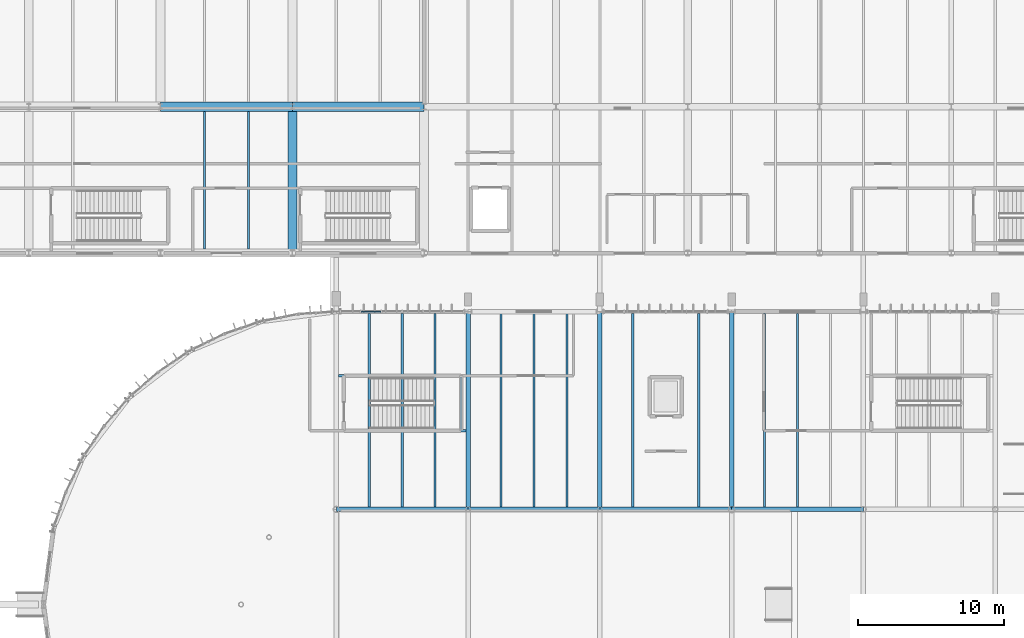
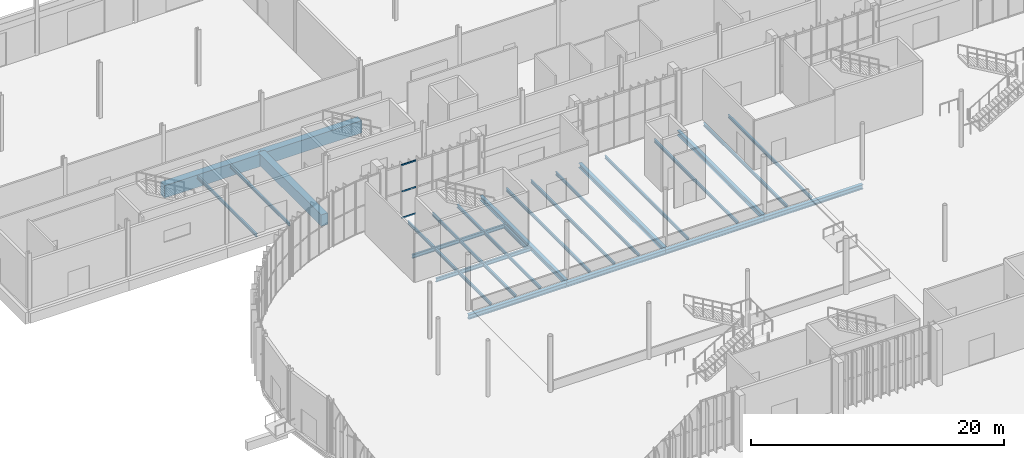
# One storey, part 61 of 158: 25 beams, 3 members, 1 element without a shape of its own.
"""IFC4 building model written with IfcOpenShell, lengths in metres."""

from ifc_helpers import new_model, si_unit, derived_unit, direction, frame, origin, origin_2d, place, context, subcontext, project, spatial, rectangle, hollow_rectangle, i_section, extrude, material, material_profile, profile_set, type_object, element, aggregate, save


model = new_model("IFC4")

# Units and contexts
model_context = context("Model", 3, precision=1e-05, world=origin(), true_north=direction((0.0, 1.0)))
body_context = subcontext(model_context, "Body", "Model", "MODEL_VIEW")
ifc_project = project(units=[si_unit("LENGTHUNIT", "METRE"), si_unit("AREAUNIT", "SQUARE_METRE"), si_unit("VOLUMEUNIT", "CUBIC_METRE"), si_unit("PLANEANGLEUNIT", "RADIAN"), si_unit("MASSUNIT", "GRAM", prefix="KILO"), si_unit("THERMODYNAMICTEMPERATUREUNIT", "KELVIN"), si_unit("TIMEUNIT", "SECOND"), derived_unit("THERMALTRANSMITTANCEUNIT", [(si_unit("MASSUNIT", "GRAM", prefix="KILO"), 1), (si_unit("THERMODYNAMICTEMPERATUREUNIT", "KELVIN"), -1), (si_unit("TIMEUNIT", "SECOND"), -3)])], contexts=[model_context])

# Site, building, storey
site_placement = place(None, origin())
site = spatial("IfcSite", under=ifc_project, at=site_placement, CompositionType="ELEMENT")
building_placement = place(site_placement, origin())
building = spatial("IfcBuilding", under=site, at=building_placement, Name="Cambertide Market Hall", CompositionType="ELEMENT")
storey_placement = place(building_placement, origin())
storey = spatial("IfcBuildingStorey", under=building, at=storey_placement, Name="L01", CompositionType="ELEMENT", Elevation=0.0)

# Beams
ifc_material_1 = material(Name="Concrete B35", Category="concrete")
ifc_material_profile_1 = material_profile(ifc_material_1, rectangle(XDim=0.60009765625, YDim=1.10009765625, at=origin_2d()), Name="RC 600x1100")
ifc_profile_set_1 = profile_set([ifc_material_profile_1], Name="Concrete B35")
beam_type_1 = type_object("IfcBeamType", Name="Concrete T-Beam RC 600x1100", PredefinedType="T_BEAM", material=ifc_profile_set_1)
beam_1_placement = place(storey_placement, frame((39.0, 96.0, -0.909912109375), z_axis=(0.0, 1.0, 0.0), x_axis=(-1.0, 0.0, 0.0)))
element("IfcBeam", 1, at=beam_1_placement, inside=storey, type_object=beam_type_1, Name="Level 1 T_Beam BM-V2Y-L01-4-1", PredefinedType="T_BEAM", context=body_context, shape_type="SweptSolid", body=[
    extrude(rectangle(XDim=0.60009765625, YDim=1.10009765625, at=origin_2d()), origin(), (0.0, 0.0, 1.0), 10.0),
])
ifc_material_2 = material(Name="Concrete B35", Category="concrete")
ifc_material_profile_2 = material_profile(ifc_material_2, rectangle(XDim=0.64990234375, YDim=1.199951171875, at=origin_2d()), Name="RC 650x1200")
ifc_profile_set_2 = profile_set([ifc_material_profile_2], Name="Concrete B35")
beam_type_2 = type_object("IfcBeamType", Name="Concrete T-Beam RC 650x1200", PredefinedType="T_BEAM", material=ifc_profile_set_2)
for number, where, z_axis, x_axis, name in (
    (2, (30.0, 106.0, -0.9599609375), (1.0, 0.0, 0.0), (0.0, 1.0, 0.0), "Level 1 T_Beam BM-V2X-L01-3-2"),
    (3, (39.0, 106.0, -0.9599609375), (1.0, 0.0, 0.0), (0.0, 1.0, 0.0), "Level 1 T_Beam BM-V2X-L01-4-2"),
):
    element("IfcBeam", number, at=place(storey_placement, frame(where, z_axis=z_axis, x_axis=x_axis)), inside=storey, type_object=beam_type_2, Name=name, PredefinedType="T_BEAM", context=body_context, shape_type="SweptSolid", body=[
        extrude(rectangle(XDim=0.64990234375, YDim=1.199951171875, at=origin_2d()), origin(), (0.0, 0.0, 1.0), 9.0),
    ])

# Curtain wall, members
ifc_material_3 = material(Name="Marine Anodized Aluminium 6063-T6 AA25", Category="aluminium")
curtain_wall_type = type_object("IfcCurtainWallType", Name="Lantern Straight Lower Curtain Wall", PredefinedType="USERDEFINED", material=ifc_material_3)
curtain_wall_placement = place(storey_placement, origin())
curtain_wall = element("IfcCurtainWall", 4, at=curtain_wall_placement, inside=storey, type_object=curtain_wall_type, Name="Level 1 Curtain Wall CW-V1N-L01-1", ObjectType="UNITIZED CURTAIN WALL", PredefinedType="USERDEFINED")
ifc_material_4 = material(Name="Champagne Marine Anodized Aluminium 6063-T6 AA25", Category="aluminium")
ifc_material_profile_3 = material_profile(ifc_material_4, hollow_rectangle(XDim=0.06494140625, YDim=0.139892578125, WallThickness=0.00341796875, at=origin_2d()), Name="ALU TRANSOM 65x140")
ifc_profile_set_3 = profile_set([ifc_material_profile_3], Name="Champagne Marine Anodized Aluminium 6063-T6 AA25")
member_type = type_object("IfcMemberType", Name="Curtain Wall Transom ALU TRANSOM 65x140", PredefinedType="USERDEFINED", material=ifc_profile_set_3)
member_1_placement = place(storey_placement, frame((43.706787109375, 92.0, 0.034912109375), z_axis=(1.0, 0.0, 0.0), x_axis=(0.0, 1.0, 0.0)))
member_1 = element("IfcMember", 5, at=member_1_placement, type_object=member_type, Name="CW-V1N-L01-1 Transom 1-2", ObjectType="TRANSOM", PredefinedType="USERDEFINED", context=body_context, shape_type="SweptSolid", body=[
    extrude(hollow_rectangle(XDim=0.06494140625, YDim=0.139892578125, WallThickness=0.00341796875, at=origin_2d()), origin(), (0.0, 0.0, 1.0), 1.33642578125),
])
member_2_placement = place(storey_placement, frame((43.706787109375, 92.0, 2.580078125), z_axis=(1.0, 0.0, 0.0), x_axis=(0.0, 1.0, 0.0)))
member_2 = element("IfcMember", 6, at=member_2_placement, type_object=member_type, Name="CW-V1N-L01-1 Transom 2-2", ObjectType="TRANSOM", PredefinedType="USERDEFINED", context=body_context, shape_type="SweptSolid", body=[
    extrude(hollow_rectangle(XDim=0.06494140625, YDim=0.139892578125, WallThickness=0.00341796875, at=origin_2d()), origin(), (0.0, 0.0, 1.0), 1.33642578125),
])
member_3_placement = place(storey_placement, frame((43.706787109375, 92.0, 5.125), z_axis=(1.0, 0.0, 0.0), x_axis=(0.0, 1.0, 0.0)))
member_3 = element("IfcMember", 7, at=member_3_placement, type_object=member_type, Name="CW-V1N-L01-1 Transom 3-2", ObjectType="TRANSOM", PredefinedType="USERDEFINED", context=body_context, shape_type="SweptSolid", body=[
    extrude(hollow_rectangle(XDim=0.06494140625, YDim=0.139892578125, WallThickness=0.00341796875, at=origin_2d()), origin(), (0.0, 0.0, 1.0), 1.33642578125),
])
aggregate(curtain_wall, [member_1, member_2, member_3])

# Beams
ifc_material_5 = material(Name="Steel S355", Category="steel")
ifc_material_profile_4 = material_profile(ifc_material_5, i_section(OverallWidth=0.300048828125, OverallDepth=0.449951171875, WebThickness=0.013916015625, FlangeThickness=0.02587890625, FilletRadius=0.027099609375, at=origin_2d()), Name="HEB 450")
ifc_profile_set_4 = profile_set([ifc_material_profile_4], Name="Steel S355")
beam_type_3 = type_object("IfcBeamType", Name="Steel Girder HEB 450", PredefinedType="BEAM", material=ifc_profile_set_4)
for number, where, z_axis, x_axis, name in (
    (8, (42.0, 78.5, -0.695068359375), (1.0, 0.0, 0.0), (0.0, 1.0, 0.0), "Level 1 Beam BM-V1MN-L01-1"),
    (9, (51.0, 78.5, -0.695068359375), (1.0, 0.0, 0.0), (0.0, 1.0, 0.0), "Level 1 Beam BM-V1MN-L01-2"),
    (10, (60.0, 78.5, -0.695068359375), (1.0, 0.0, 0.0), (0.0, 1.0, 0.0), "Level 1 Beam BM-V1MN-L01-3"),
    (11, (69.0, 78.5, -0.695068359375), (1.0, 0.0, 0.0), (0.0, 1.0, 0.0), "Level 1 Beam BM-V1MN-L01-4"),
):
    element("IfcBeam", number, at=place(storey_placement, frame(where, z_axis=z_axis, x_axis=x_axis)), inside=storey, type_object=beam_type_3, Name=name, PredefinedType="BEAM", context=body_context, shape_type="SweptSolid", body=[
        extrude(i_section(OverallWidth=0.300048828125, OverallDepth=0.449951171875, WebThickness=0.013916015625, FlangeThickness=0.02587890625, FilletRadius=0.027099609375, at=origin_2d()), origin(), (0.0, 0.0, 1.0), 9.0),
    ])
for number, where, z_axis, x_axis, name in (
    (12, (51.0, 78.5, -0.534912109375), (0.0, 1.0, 0.0), (-1.0, 0.0, 0.0), "Level 1 Beam BM-V1TN-L01-2"),
    (13, (60.0, 78.5, -0.534912109375), (0.0, 1.0, 0.0), (-1.0, 0.0, 0.0), "Level 1 Beam BM-V1TN-L01-3"),
    (14, (69.0, 78.5, -0.534912109375), (0.0, 1.0, 0.0), (-1.0, 0.0, 0.0), "Level 1 Beam BM-V1TN-L01-4"),
):
    element("IfcBeam", number, at=place(storey_placement, frame(where, z_axis=z_axis, x_axis=x_axis)), inside=storey, type_object=beam_type_3, Name=name, PredefinedType="BEAM", context=body_context, shape_type="SweptSolid", body=[
        extrude(i_section(OverallWidth=0.300048828125, OverallDepth=0.449951171875, WebThickness=0.013916015625, FlangeThickness=0.02587890625, FilletRadius=0.027099609375, at=origin_2d()), origin(), (0.0, 0.0, 1.0), 13.5),
    ])
ifc_material_6 = material(Name="Steel S355", Category="steel")
ifc_material_profile_5 = material_profile(ifc_material_6, i_section(OverallWidth=0.169921875, OverallDepth=0.360107421875, WebThickness=0.008056640625, FlangeThickness=0.0126953125, FilletRadius=0.01806640625, at=origin_2d()), Name="IPE 360")
ifc_profile_set_5 = profile_set([ifc_material_profile_5], Name="Steel S355")
beam_type_4 = type_object("IfcBeamType", Name="Steel Girder IPE 360", PredefinedType="BEAM", material=ifc_profile_set_5)
for number, where, z_axis, x_axis, name in (
    (15, (42.157958984375, 83.875, -0.47998046875), (1.0, 0.0, 0.0), (0.0, 1.0, 0.0), "Level 1 Beam BM-ST01-SHWL"),
    (16, (42.157958984375, 87.625, -0.47998046875), (1.0, 0.0, 0.0), (0.0, 1.0, 0.0), "Level 1 Beam BM-ST01-SHWR"),
):
    element("IfcBeam", number, at=place(storey_placement, frame(where, z_axis=z_axis, x_axis=x_axis)), inside=storey, type_object=beam_type_4, Name=name, PredefinedType="BEAM", context=body_context, shape_type="SweptSolid", body=[
        extrude(i_section(OverallWidth=0.169921875, OverallDepth=0.360107421875, WebThickness=0.008056640625, FlangeThickness=0.0126953125, FilletRadius=0.01806640625, at=origin_2d()), origin(), (0.0, 0.0, 1.0), 8.68408203125),
    ])
ifc_material_7 = material(Name="Steel S275", Category="steel")
ifc_material_profile_6 = material_profile(ifc_material_7, i_section(OverallWidth=0.14990234375, OverallDepth=0.300048828125, WebThickness=0.007080078125, FlangeThickness=0.0107421875, FilletRadius=0.014892578125, at=origin_2d()), Name="IPE 300")
ifc_profile_set_6 = profile_set([ifc_material_profile_6], Name="Steel S275")
beam_type_5 = type_object("IfcBeamType", Name="Steel Secondary Joist IPE 300", PredefinedType="JOIST", material=ifc_profile_set_6)
for number, where, z_axis, x_axis, name in (
    (17, (44.25, 78.657958984375, -0.4599609375), (0.0, 1.0, 0.0), (-1.0, 0.0, 0.0), "Level 1 Joist JS-V1N-L01-1-1"),
    (18, (46.5, 78.657958984375, -0.4599609375), (0.0, 1.0, 0.0), (-1.0, 0.0, 0.0), "Level 1 Joist JS-V1N-L01-1-2"),
    (19, (48.75, 78.657958984375, -0.4599609375), (0.0, 1.0, 0.0), (-1.0, 0.0, 0.0), "Level 1 Joist JS-V1N-L01-1-3"),
):
    element("IfcBeam", number, at=place(storey_placement, frame(where, z_axis=z_axis, x_axis=x_axis)), inside=storey, type_object=beam_type_5, Name=name, PredefinedType="JOIST", context=body_context, shape_type="SweptSolid", body=[
        extrude(i_section(OverallWidth=0.14990234375, OverallDepth=0.300048828125, WebThickness=0.007080078125, FlangeThickness=0.0107421875, FilletRadius=0.014892578125, at=origin_2d()), origin(), (0.0, 0.0, 1.0), 13.22412109375),
    ])
for number, where, z_axis, x_axis, name in (
    (20, (53.25, 78.657958984375, -0.4599609375), (0.0, 1.0, 0.0), (-1.0, 0.0, 0.0), "Level 1 Joist JS-V1N-L01-2-1"),
    (21, (55.5, 78.657958984375, -0.4599609375), (0.0, 1.0, 0.0), (-1.0, 0.0, 0.0), "Level 1 Joist JS-V1N-L01-2-2"),
    (22, (57.75, 78.657958984375, -0.4599609375), (0.0, 1.0, 0.0), (-1.0, 0.0, 0.0), "Level 1 Joist JS-V1N-L01-2-3"),
    (23, (62.25, 78.657958984375, -0.4599609375), (0.0, 1.0, 0.0), (-1.0, 0.0, 0.0), "Level 1 Joist JS-V1N-L01-3-1"),
    (24, (66.75, 78.657958984375, -0.4599609375), (0.0, 1.0, 0.0), (-1.0, 0.0, 0.0), "Level 1 Joist JS-V1N-L01-3-3"),
    (25, (71.25, 78.657958984375, -0.4599609375), (0.0, 1.0, 0.0), (-1.0, 0.0, 0.0), "Level 1 Joist JS-V1N-L01-4-1"),
    (26, (73.5, 78.657958984375, -0.4599609375), (0.0, 1.0, 0.0), (-1.0, 0.0, 0.0), "Level 1 Joist JS-V1N-L01-4-2"),
):
    element("IfcBeam", number, at=place(storey_placement, frame(where, z_axis=z_axis, x_axis=x_axis)), inside=storey, type_object=beam_type_5, Name=name, PredefinedType="JOIST", context=body_context, shape_type="SweptSolid", body=[
        extrude(i_section(OverallWidth=0.14990234375, OverallDepth=0.300048828125, WebThickness=0.007080078125, FlangeThickness=0.0107421875, FilletRadius=0.014892578125, at=origin_2d()), origin(), (0.0, 0.0, 1.0), 13.234130859375),
    ])
for number, where, z_axis, x_axis, name in (
    (27, (33.0, 96.282958984375, -0.510009765625), (0.0, 1.0, 0.0), (-1.0, 0.0, 0.0), "Level 1 Joist JS-V2-L01-3-1-1"),
    (28, (36.0, 96.282958984375, -0.510009765625), (0.0, 1.0, 0.0), (-1.0, 0.0, 0.0), "Level 1 Joist JS-V2-L01-3-1-2"),
):
    element("IfcBeam", number, at=place(storey_placement, frame(where, z_axis=z_axis, x_axis=x_axis)), inside=storey, type_object=beam_type_5, Name=name, PredefinedType="JOIST", context=body_context, shape_type="SweptSolid", body=[
        extrude(i_section(OverallWidth=0.14990234375, OverallDepth=0.300048828125, WebThickness=0.007080078125, FlangeThickness=0.0107421875, FilletRadius=0.014892578125, at=origin_2d()), origin(), (0.0, 0.0, 1.0), 9.384033203125),
    ])
beam_2_placement = place(storey_placement, frame((50.52490234375, 83.968017578125, -0.449951171875), z_axis=(0.0, 1.0, 0.0), x_axis=(-1.0, 0.0, 0.0)))
element("IfcBeam", 29, at=beam_2_placement, inside=storey, type_object=beam_type_5, Name="Level 1 Joist BM-ST01-SHWF", PredefinedType="JOIST", context=body_context, shape_type="SweptSolid", body=[
    extrude(i_section(OverallWidth=0.14990234375, OverallDepth=0.300048828125, WebThickness=0.007080078125, FlangeThickness=0.0107421875, FilletRadius=0.014892578125, at=origin_2d()), origin(), (0.0, 0.0, 1.0), 3.56396484375),
])

save(model, "model.ifc")
